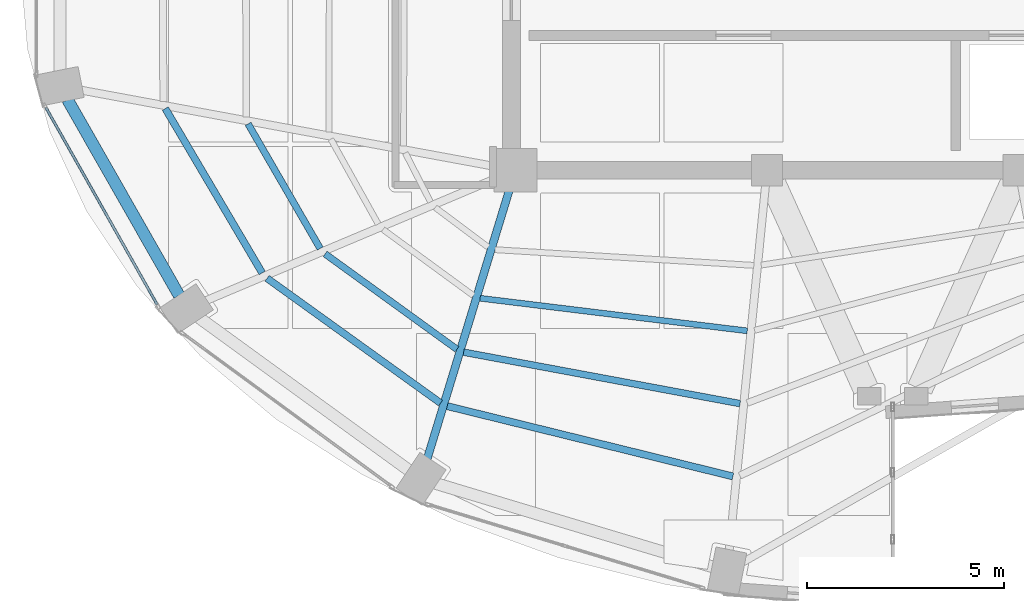
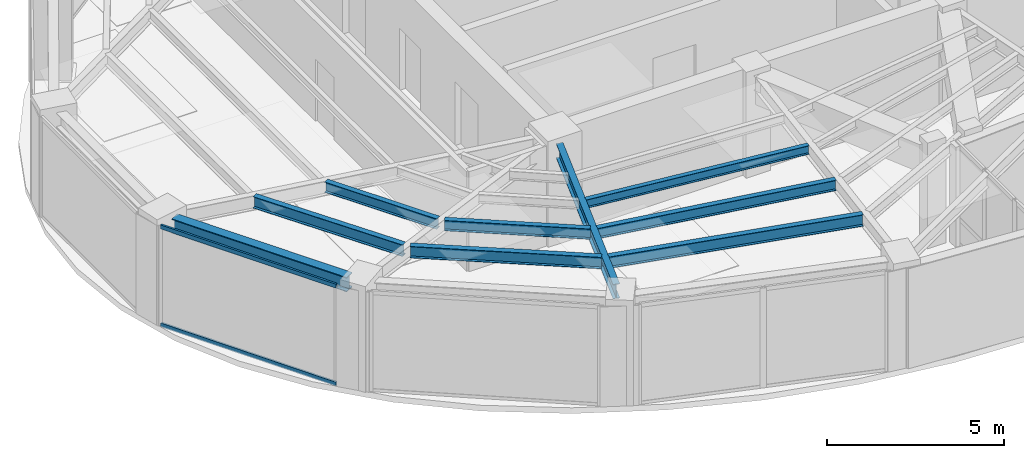
# One storey, part 3 of 22: 9 beams, 2 members, 1 element without a shape of its own.
"""IFC4 building model written with IfcOpenShell, lengths in metres."""

from ifc_helpers import new_model, si_unit, direction, frame, origin, origin_2d, place, context, subcontext, project, spatial, hollow_rectangle, i_section, extrude, material, layer, layer_set, material_profile, profile_set, type_object, element, aggregate, save


model = new_model("IFC4")

# Units and contexts
model_context = context("Model", 3, precision=1e-05, world=origin(), true_north=direction((0.0, 1.0)))
body_context = subcontext(model_context, "Body", "Model", "MODEL_VIEW")
ifc_project = project(units=[si_unit("LENGTHUNIT", "METRE"), si_unit("AREAUNIT", "SQUARE_METRE"), si_unit("VOLUMEUNIT", "CUBIC_METRE"), si_unit("PLANEANGLEUNIT", "RADIAN"), si_unit("MASSUNIT", "GRAM", prefix="KILO")], contexts=[model_context])

# Site, building, storey
site_placement = place(None, origin())
site = spatial("IfcSite", under=ifc_project, at=site_placement, CompositionType="ELEMENT")
building_placement = place(site_placement, origin())
building = spatial("IfcBuilding", under=site, at=building_placement, Name="Lazwardi Medical Tower", CompositionType="ELEMENT")
storey_placement = place(building_placement, frame((0.0, 0.0, 255.02392578125)))
storey = spatial("IfcBuildingStorey", under=building, at=storey_placement, Name="L66", CompositionType="ELEMENT", Elevation=255.02392578125)

# Beams
ifc_material_1 = material(Name="Steel S355", Category="steel")
ifc_material_profile_1 = material_profile(ifc_material_1, i_section(OverallWidth=0.300048828125, OverallDepth=0.5, WebThickness=0.014404296875, FlangeThickness=0.028076171875, at=origin_2d()), Name="HEB 500")
ifc_profile_set_1 = profile_set([ifc_material_profile_1], Name="Steel S355")
beam_type_1 = type_object("IfcBeamType", Name="BM-RB-Z4", PredefinedType="BEAM", material=ifc_profile_set_1)
beam_1_placement = place(storey_placement, frame((15.008056640625, 22.1982421875, 3.197998046875), z_axis=(0.495125273299, -0.868821594886, 0.0), x_axis=(0.868821594886, 0.495125273299, 0.0)))
element("IfcBeam", 1, at=beam_1_placement, inside=storey, type_object=beam_type_1, Name="Ring beam RB-05 B13 L66", PredefinedType="BEAM", context=body_context, shape_type="SweptSolid", body=[
    extrude(i_section(OverallWidth=0.300048828125, OverallDepth=0.5, WebThickness=0.014404296875, FlangeThickness=0.028076171875, at=origin_2d()), origin(), (0.0, 0.0, 1.0), 5.734130859375),
])
ifc_material_profile_2 = material_profile(ifc_material_1, i_section(OverallWidth=0.199951171875, OverallDepth=0.5, WebThickness=0.01025390625, FlangeThickness=0.01611328125, at=origin_2d()), Name="IPE 500")
ifc_profile_set_2 = profile_set([ifc_material_profile_2], Name="Steel S355")
beam_type_2 = type_object("IfcBeamType", Name="BM-RG-W3", PredefinedType="BEAM", material=ifc_profile_set_2)
beam_2_placement = place(storey_placement, frame((24.156005859375, 13.0576171875, 3.197998046875), z_axis=(0.292276716539, 0.956333791607, 0.0), x_axis=(-0.956333791607, 0.292276716539, 0.0)))
element("IfcBeam", 2, at=beam_2_placement, inside=storey, type_object=beam_type_2, Name="Radial girder RG-04 R15 L66", PredefinedType="BEAM", context=body_context, shape_type="SweptSolid", body=[
    extrude(i_section(OverallWidth=0.199951171875, OverallDepth=0.5, WebThickness=0.01025390625, FlangeThickness=0.01611328125, at=origin_2d()), origin(), (0.0, 0.0, 1.0), 7.142822265625),
])
ifc_material_profile_3 = material_profile(ifc_material_1, i_section(OverallWidth=0.179931640625, OverallDepth=0.39990234375, WebThickness=0.008544921875, FlangeThickness=0.013427734375, at=origin_2d()), Name="IPE 400")
ifc_profile_set_3 = profile_set([ifc_material_profile_3], Name="Steel S355")
beam_type_3 = type_object("IfcBeamType", Name="BM-SJ-01", PredefinedType="JOIST", material=ifc_profile_set_3)
beam_3_placement = place(storey_placement, frame((17.495849609375, 21.969482421875, 3.248046875), z_axis=(0.507710311367, -0.861527851977, 0.0), x_axis=(0.861527851977, 0.507710311367, 0.0)))
element("IfcBeam", 3, at=beam_3_placement, inside=storey, type_object=beam_type_3, Name="Secondary joist SJ-01 R1 B13 L66", PredefinedType="JOIST", context=body_context, shape_type="SweptSolid", body=[
    extrude(i_section(OverallWidth=0.179931640625, OverallDepth=0.39990234375, WebThickness=0.008544921875, FlangeThickness=0.013427734375, at=origin_2d()), origin(), (0.0, 0.0, 1.0), 4.852783203125),
])
beam_4_placement = place(storey_placement, frame((20.085205078125, 17.651123046875, 3.248046875), z_axis=(0.811889581337, -0.58381102055, 0.0), x_axis=(0.58381102055, 0.811889581337, 0.0)))
element("IfcBeam", 4, at=beam_4_placement, inside=storey, type_object=beam_type_3, Name="Secondary joist SJ-01 R1 B14 L66", PredefinedType="JOIST", context=body_context, shape_type="SweptSolid", body=[
    extrude(i_section(OverallWidth=0.179931640625, OverallDepth=0.39990234375, WebThickness=0.008544921875, FlangeThickness=0.013427734375, at=origin_2d()), origin(), (0.0, 0.0, 1.0), 5.433349609375),
])
beam_5_placement = place(storey_placement, frame((24.665771484375, 14.40087890625, 3.248046875), z_axis=(0.971041669317, -0.238910184904, 0.0), x_axis=(0.238910184904, 0.971041669317, 0.0)))
element("IfcBeam", 5, at=beam_5_placement, inside=storey, type_object=beam_type_3, Name="Secondary joist SJ-01 R1 B15 L66", PredefinedType="JOIST", context=body_context, shape_type="SweptSolid", body=[
    extrude(i_section(OverallWidth=0.179931640625, OverallDepth=0.39990234375, WebThickness=0.008544921875, FlangeThickness=0.013427734375, at=origin_2d()), origin(), (0.0, 0.0, 1.0), 7.482421875),
])
ifc_material_profile_4 = material_profile(ifc_material_1, i_section(OverallWidth=0.169921875, OverallDepth=0.360107421875, WebThickness=0.008056640625, FlangeThickness=0.0126953125, at=origin_2d()), Name="IPE 360")
ifc_profile_set_4 = profile_set([ifc_material_profile_4], Name="Steel S355")
beam_type_4 = type_object("IfcBeamType", Name="BM-SJ-02", PredefinedType="JOIST", material=ifc_profile_set_4)
beam_6_placement = place(storey_placement, frame((19.601806640625, 21.58056640625, 3.26806640625), z_axis=(0.500655179543, -0.865646805109, 0.0), x_axis=(0.865646805109, 0.500655179543, 0.0)))
element("IfcBeam", 6, at=beam_6_placement, inside=storey, type_object=beam_type_4, Name="Secondary joist SJ-02 R2 B13 L66", PredefinedType="JOIST", context=body_context, shape_type="SweptSolid", body=[
    extrude(i_section(OverallWidth=0.169921875, OverallDepth=0.360107421875, WebThickness=0.008056640625, FlangeThickness=0.0126953125, at=origin_2d()), origin(), (0.0, 0.0, 1.0), 3.662109375),
])
beam_7_placement = place(storey_placement, frame((21.559814453125, 18.2724609375, 3.26806640625), z_axis=(0.810164229155, -0.586202969796, 0.0), x_axis=(0.586202969796, 0.810164229155, 0.0)))
element("IfcBeam", 7, at=beam_7_placement, inside=storey, type_object=beam_type_4, Name="Secondary joist SJ-02 R2 B14 L66", PredefinedType="JOIST", context=body_context, shape_type="SweptSolid", body=[
    extrude(i_section(OverallWidth=0.169921875, OverallDepth=0.360107421875, WebThickness=0.008056640625, FlangeThickness=0.0126953125, at=origin_2d()), origin(), (0.0, 0.0, 1.0), 4.14013671875),
])
beam_8_placement = place(storey_placement, frame((25.08447265625, 15.7724609375, 3.26806640625), z_axis=(0.983132476587, -0.182894870019, 0.0), x_axis=(0.182894870019, 0.983132476587, 0.0)))
element("IfcBeam", 8, at=beam_8_placement, inside=storey, type_object=beam_type_4, Name="Secondary joist SJ-02 R2 B15 L66", PredefinedType="JOIST", context=body_context, shape_type="SweptSolid", body=[
    extrude(i_section(OverallWidth=0.169921875, OverallDepth=0.360107421875, WebThickness=0.008056640625, FlangeThickness=0.0126953125, at=origin_2d()), origin(), (0.0, 0.0, 1.0), 7.15087890625),
])
ifc_material_profile_5 = material_profile(ifc_material_1, i_section(OverallWidth=0.14990234375, OverallDepth=0.300048828125, WebThickness=0.007080078125, FlangeThickness=0.0107421875, at=origin_2d()), Name="IPE 300")
ifc_profile_set_5 = profile_set([ifc_material_profile_5], Name="Steel S355")
beam_type_5 = type_object("IfcBeamType", Name="BM-SJ-03", PredefinedType="JOIST", material=ifc_profile_set_5)
beam_9_placement = place(storey_placement, frame((25.5029296875, 17.14453125, 3.298095703125), z_axis=(0.992634689535, -0.121146081783, 0.0), x_axis=(0.121146081783, 0.992634689535, 0.0)))
element("IfcBeam", 9, at=beam_9_placement, inside=storey, type_object=beam_type_5, Name="Secondary joist SJ-03 R3 B15 L66", PredefinedType="JOIST", context=body_context, shape_type="SweptSolid", body=[
    extrude(i_section(OverallWidth=0.14990234375, OverallDepth=0.300048828125, WebThickness=0.007080078125, FlangeThickness=0.0107421875, at=origin_2d()), origin(), (0.0, 0.0, 1.0), 6.845947265625),
])

# Curtain wall, members
ifc_material_2 = material(Name="Anodised bronze aluminium and solar control glazing", Category="aluminium")
ifc_layer = layer(ifc_material_2, 0.18994140625)
ifc_layer_set = layer_set([ifc_layer], Name="Anodised bronze aluminium and solar control glazing")
curtain_wall_type = type_object("IfcCurtainWallType", Name="CW-SYS-04", PredefinedType="NOTDEFINED", material=ifc_layer_set)
curtain_wall_placement = place(storey_placement, origin())
curtain_wall = element("IfcCurtainWall", 10, at=curtain_wall_placement, inside=storey, type_object=curtain_wall_type, Name="L66 Unitised bronze curtain wall CW-04", PredefinedType="NOTDEFINED")
ifc_material_3 = material(Name="Anodised bronze aluminium", Category="aluminium")
ifc_material_profile_6 = material_profile(ifc_material_3, hollow_rectangle(XDim=0.06494140625, YDim=0.139892578125, WallThickness=0.00341796875, at=origin_2d()), Name="ALU-TRANSOM 140x65x3.5")
ifc_profile_set_6 = profile_set([ifc_material_profile_6], Name="Anodised bronze aluminium")
member_type = type_object("IfcMemberType", Name="CW-TRN-03", PredefinedType="USERDEFINED", material=ifc_profile_set_6)
member_1_placement = place(storey_placement, frame((14.458740234375, 21.993408203125, 0.032470703125), z_axis=(0.491897887635, -0.870652897623, 0.0), x_axis=(0.870652897623, 0.491897887635, 0.0)))
member_1 = element("IfcMember", 11, at=member_1_placement, type_object=member_type, Name="CW-04 transom 1.1", ObjectType="TRANSOM", PredefinedType="USERDEFINED", context=body_context, shape_type="SweptSolid", body=[
    extrude(hollow_rectangle(XDim=0.06494140625, YDim=0.139892578125, WallThickness=0.00341796875, at=origin_2d()), origin(), (0.0, 0.0, 1.0), 5.7548828125),
])
member_2_placement = place(storey_placement, frame((14.458740234375, 21.993408203125, 3.41552734375), z_axis=(0.491897887635, -0.870652897623, 0.0), x_axis=(0.870652897623, 0.491897887635, 0.0)))
member_2 = element("IfcMember", 12, at=member_2_placement, type_object=member_type, Name="CW-04 transom 1.2", ObjectType="TRANSOM", PredefinedType="USERDEFINED", context=body_context, shape_type="SweptSolid", body=[
    extrude(hollow_rectangle(XDim=0.06494140625, YDim=0.139892578125, WallThickness=0.00341796875, at=origin_2d()), origin(), (0.0, 0.0, 1.0), 5.7548828125),
])
aggregate(curtain_wall, [member_1, member_2])

save(model, "model.ifc")
